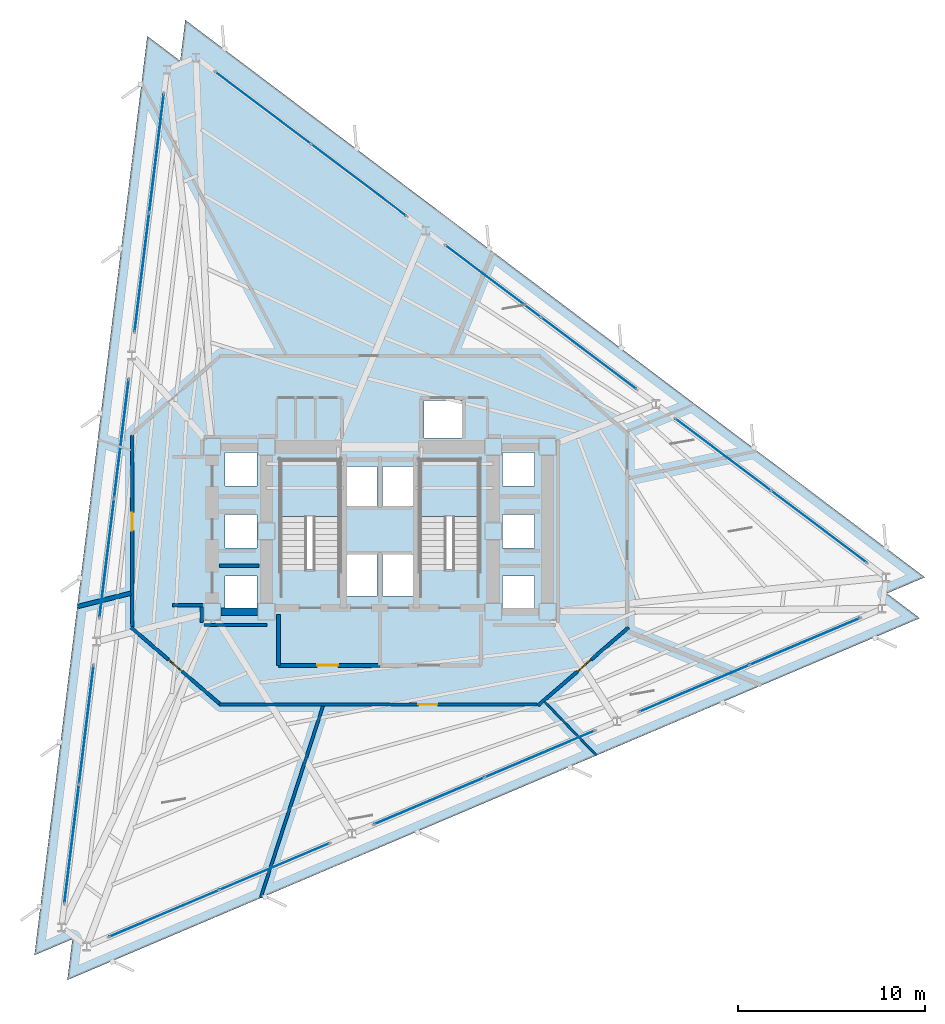
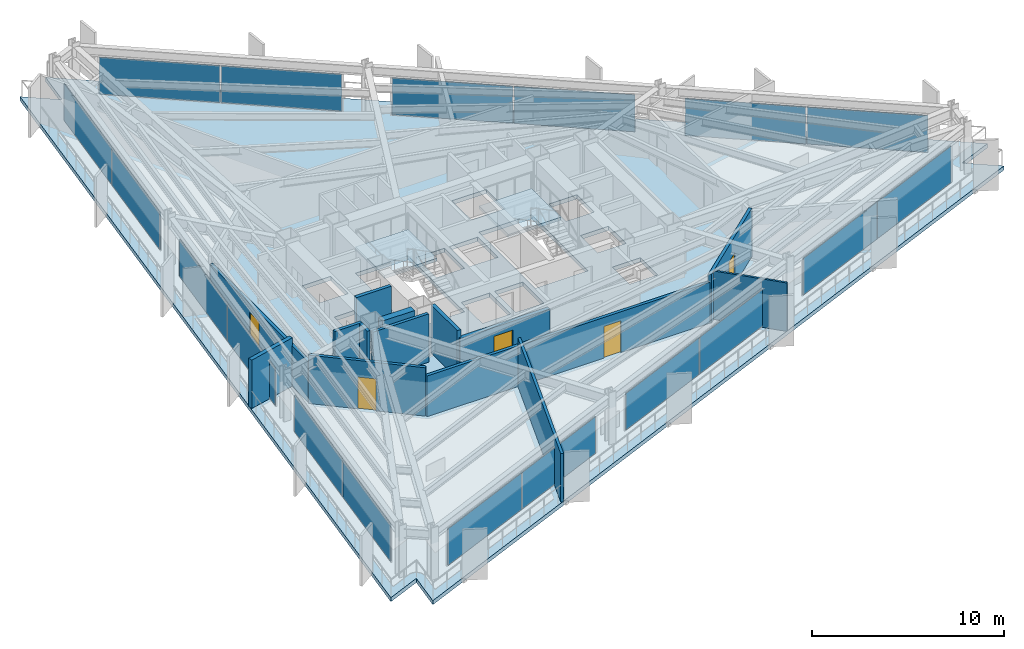
# One storey, part 6 of 13: 18 plates, 14 walls, 5 doors, 3 slabs, 5 openings, 11 elements without a shape of their own.
"""IFC4 building model written with IfcOpenShell, lengths in metres."""

from ifc_helpers import new_model, si_unit, direction, frame, frame_2d, origin, origin_2d, place, context, subcontext, project, spatial, polyline, rectangle, outline, extrude, material, layer, layer_set, type_object, element, fill, aggregate, save


model = new_model("IFC4")

# Units and contexts
model_context = context("Model", 3, precision=1e-05, world=origin(), true_north=direction((0.0, 1.0)))
body_context = subcontext(model_context, "Body", "Model", "MODEL_VIEW")
ifc_project = project(units=[si_unit("LENGTHUNIT", "METRE"), si_unit("AREAUNIT", "SQUARE_METRE"), si_unit("VOLUMEUNIT", "CUBIC_METRE"), si_unit("PLANEANGLEUNIT", "RADIAN"), si_unit("MASSUNIT", "GRAM", prefix="KILO")], contexts=[model_context])

# Site, building, storey
site_placement = place(None, origin())
site = spatial("IfcSite", under=ifc_project, at=site_placement, CompositionType="ELEMENT")
building_placement = place(site_placement, origin())
building = spatial("IfcBuilding", under=site, at=building_placement, Name="Rocaltana Carrier Exchange", CompositionType="ELEMENT")
storey_placement = place(building_placement, frame((0.0, 0.0, 52.9599609375)))
storey = spatial("IfcBuildingStorey", under=building, at=storey_placement, Name="L16", CompositionType="ELEMENT", Elevation=52.9599609375)

# Curtain wall, plates
ifc_material_1 = material(Name="Aluminium 6063-T6", Category="aluminium")
ifc_layer_1 = layer(ifc_material_1, 0.1650390625)
ifc_layer_set_1 = layer_set([ifc_layer_1], Name="Aluminium 6063-T6")
curtain_wall_type = type_object("IfcCurtainWallType", Name="Lower-Mid Stepped Curtain Wall CW-02", PredefinedType="NOTDEFINED", material=ifc_layer_set_1)
curtain_wall_1_placement = place(storey_placement, origin())
curtain_wall_1 = element("IfcCurtainWall", 1, at=curtain_wall_1_placement, inside=storey, type_object=curtain_wall_type, Name="L16 CW-02 Run CW-L16-F1S1", PredefinedType="NOTDEFINED")
ifc_material_2 = material(Name="Tempered Laminated Glass", Category="glass")
ifc_layer_2 = layer(ifc_material_2, 0.0419921875)
ifc_layer_set_2 = layer_set([ifc_layer_2], Name="Tempered Laminated Glass")
plate_type = type_object("IfcPlateType", Name="CW-02 Stone-Insulated Vision Panel", PredefinedType="CURTAIN_PANEL", material=ifc_layer_set_2)
plate_1_placement = place(storey_placement, frame((23.422607421875, 0.231201171875, 0.06494140625), z_axis=(0.0, 0.0, 1.0), x_axis=(-0.798641886792, 0.601806560833, 0.0)))
plate_1 = element("IfcPlate", 2, at=plate_1_placement, type_object=plate_type, Name="CW-02 panel 1.1", PredefinedType="CURTAIN_PANEL", context=body_context, shape_type="SweptSolid", body=[
    extrude(rectangle(XDim=6.335693359375, YDim=0.0419921875, at=origin_2d()), origin(), (0.0, 0.0, 1.0), 2.347900390625),
])
plate_2_placement = place(storey_placement, frame((18.310791015625, 4.083251953125, 0.06494140625), z_axis=(0.0, 0.0, 1.0), x_axis=(-0.798641886792, 0.601806560833, 0.0)))
plate_2 = element("IfcPlate", 3, at=plate_2_placement, type_object=plate_type, Name="CW-02 panel 2.1", PredefinedType="CURTAIN_PANEL", context=body_context, shape_type="SweptSolid", body=[
    extrude(rectangle(XDim=6.335693359375, YDim=0.0419921875, at=origin_2d()), origin(), (0.0, 0.0, 1.0), 2.347900390625),
])
aggregate(curtain_wall_1, [plate_1, plate_2])

curtain_wall_2_placement = place(storey_placement, origin())
curtain_wall_2 = element("IfcCurtainWall", 4, at=curtain_wall_2_placement, inside=storey, type_object=curtain_wall_type, Name="L16 CW-02 Run CW-L16-F1S2", PredefinedType="NOTDEFINED")
plate_3_placement = place(storey_placement, frame((11.150390625, 9.47900390625, 0.06494140625), z_axis=(0.0, 0.0, 1.0), x_axis=(-0.798635336443, 0.601815253533, 0.0)))
plate_3 = element("IfcPlate", 5, at=plate_3_placement, type_object=plate_type, Name="CW-02 panel 1.1", PredefinedType="CURTAIN_PANEL", context=body_context, shape_type="SweptSolid", body=[
    extrude(rectangle(XDim=6.335693359375, YDim=0.0419921875, at=origin_2d()), origin(), (0.0, 0.0, 1.0), 2.347900390625),
])
plate_4_placement = place(storey_placement, frame((6.038330078125, 13.3310546875, 0.06494140625), z_axis=(0.0, 0.0, 1.0), x_axis=(-0.798635336443, 0.601815253533, 0.0)))
plate_4 = element("IfcPlate", 6, at=plate_4_placement, type_object=plate_type, Name="CW-02 panel 2.1", PredefinedType="CURTAIN_PANEL", context=body_context, shape_type="SweptSolid", body=[
    extrude(rectangle(XDim=6.335693359375, YDim=0.0419921875, at=origin_2d()), origin(), (0.0, 0.0, 1.0), 2.347900390625),
])
aggregate(curtain_wall_2, [plate_3, plate_4])

curtain_wall_3_placement = place(storey_placement, origin())
curtain_wall_3 = element("IfcCurtainWall", 7, at=curtain_wall_3_placement, inside=storey, type_object=curtain_wall_type, Name="L16 CW-02 Run CW-L16-F1S3", PredefinedType="NOTDEFINED")
plate_5_placement = place(storey_placement, frame((-1.1220703125, 18.726806640625, 0.06494140625), z_axis=(0.0, 0.0, 1.0), x_axis=(-0.79863815132, 0.601811518049, 0.0)))
plate_5 = element("IfcPlate", 8, at=plate_5_placement, type_object=plate_type, Name="CW-02 panel 1.1", PredefinedType="CURTAIN_PANEL", context=body_context, shape_type="SweptSolid", body=[
    extrude(rectangle(XDim=6.3359375, YDim=0.0419921875, at=origin_2d()), origin(), (0.0, 0.0, 1.0), 2.347900390625),
])
plate_6_placement = place(storey_placement, frame((-6.23388671875, 22.5791015625, 0.06494140625), z_axis=(0.0, 0.0, 1.0), x_axis=(-0.79863815132, 0.601811518049, 0.0)))
plate_6 = element("IfcPlate", 9, at=plate_6_placement, type_object=plate_type, Name="CW-02 panel 2.1", PredefinedType="CURTAIN_PANEL", context=body_context, shape_type="SweptSolid", body=[
    extrude(rectangle(XDim=6.3359375, YDim=0.0419921875, at=origin_2d()), origin(), (0.0, 0.0, 1.0), 2.347900390625),
])
aggregate(curtain_wall_3, [plate_5, plate_6])

curtain_wall_4_placement = place(storey_placement, origin())
curtain_wall_4 = element("IfcCurtainWall", 10, at=curtain_wall_4_placement, inside=storey, type_object=curtain_wall_type, Name="L16 CW-02 Run CW-L16-F2S1", PredefinedType="NOTDEFINED")
plate_7_placement = place(storey_placement, frame((-11.91162109375, 20.169189453125, 0.06494140625), z_axis=(0.0, 0.0, 1.0), x_axis=(-0.121872630343, -0.992545748051, 0.0)))
plate_7 = element("IfcPlate", 11, at=plate_7_placement, type_object=plate_type, Name="CW-02 panel 1.1", PredefinedType="CURTAIN_PANEL", context=body_context, shape_type="SweptSolid", body=[
    extrude(rectangle(XDim=6.3359375, YDim=0.0419921875, at=origin_2d()), origin(), (0.0, 0.0, 1.0), 2.347900390625),
])
plate_8_placement = place(storey_placement, frame((-12.691650390625, 13.81591796875, 0.06494140625), z_axis=(0.0, 0.0, 1.0), x_axis=(-0.121872630343, -0.992545748051, 0.0)))
plate_8 = element("IfcPlate", 12, at=plate_8_placement, type_object=plate_type, Name="CW-02 panel 2.1", PredefinedType="CURTAIN_PANEL", context=body_context, shape_type="SweptSolid", body=[
    extrude(rectangle(XDim=6.3359375, YDim=0.0419921875, at=origin_2d()), origin(), (0.0, 0.0, 1.0), 2.347900390625),
])
aggregate(curtain_wall_4, [plate_7, plate_8])

curtain_wall_5_placement = place(storey_placement, origin())
curtain_wall_5 = element("IfcCurtainWall", 13, at=curtain_wall_5_placement, inside=storey, type_object=curtain_wall_type, Name="L16 CW-02 Run CW-L16-F2S2", PredefinedType="NOTDEFINED")
plate_9_placement = place(storey_placement, frame((-13.7841796875, 4.9169921875, 0.06494140625), z_axis=(0.0, 0.0, 1.0), x_axis=(-0.121873570472, -0.992545632614, 0.0)))
plate_9 = element("IfcPlate", 14, at=plate_9_placement, type_object=plate_type, Name="CW-02 panel 1.1", PredefinedType="CURTAIN_PANEL", context=body_context, shape_type="SweptSolid", body=[
    extrude(rectangle(XDim=6.335693359375, YDim=0.0419921875, at=origin_2d()), origin(), (0.0, 0.0, 1.0), 2.347900390625),
])
plate_10_placement = place(storey_placement, frame((-14.564208984375, -1.436279296875, 0.06494140625), z_axis=(0.0, 0.0, 1.0), x_axis=(-0.121873570472, -0.992545632614, 0.0)))
plate_10 = element("IfcPlate", 15, at=plate_10_placement, type_object=plate_type, Name="CW-02 panel 2.1", PredefinedType="CURTAIN_PANEL", context=body_context, shape_type="SweptSolid", body=[
    extrude(rectangle(XDim=6.335693359375, YDim=0.0419921875, at=origin_2d()), origin(), (0.0, 0.0, 1.0), 2.347900390625),
])
aggregate(curtain_wall_5, [plate_9, plate_10])

curtain_wall_6_placement = place(storey_placement, origin())
curtain_wall_6 = element("IfcCurtainWall", 16, at=curtain_wall_6_placement, inside=storey, type_object=curtain_wall_type, Name="L16 CW-02 Run CW-L16-F2S3", PredefinedType="NOTDEFINED")
plate_11_placement = place(storey_placement, frame((-15.656982421875, -10.335205078125, 0.06494140625), z_axis=(0.0, 0.0, 1.0), x_axis=(-0.121881227076, -0.992544692438, 0.0)))
plate_11 = element("IfcPlate", 17, at=plate_11_placement, type_object=plate_type, Name="CW-02 panel 1.1", PredefinedType="CURTAIN_PANEL", context=body_context, shape_type="SweptSolid", body=[
    extrude(rectangle(XDim=6.335693359375, YDim=0.0419921875, at=origin_2d()), origin(), (0.0, 0.0, 1.0), 2.347900390625),
])
plate_12_placement = place(storey_placement, frame((-16.43701171875, -16.688232421875, 0.06494140625), z_axis=(0.0, 0.0, 1.0), x_axis=(-0.121881227076, -0.992544692438, 0.0)))
plate_12 = element("IfcPlate", 18, at=plate_12_placement, type_object=plate_type, Name="CW-02 panel 2.1", PredefinedType="CURTAIN_PANEL", context=body_context, shape_type="SweptSolid", body=[
    extrude(rectangle(XDim=6.335693359375, YDim=0.0419921875, at=origin_2d()), origin(), (0.0, 0.0, 1.0), 2.347900390625),
])
aggregate(curtain_wall_6, [plate_11, plate_12])

curtain_wall_7_placement = place(storey_placement, origin())
curtain_wall_7 = element("IfcCurtainWall", 19, at=curtain_wall_7_placement, inside=storey, type_object=curtain_wall_type, Name="L16 CW-02 Run CW-L16-F3S1", PredefinedType="NOTDEFINED")
plate_13_placement = place(storey_placement, frame((-11.51123046875, -20.400146484375, 0.06494140625), z_axis=(0.0, 0.0, 1.0), x_axis=(0.920505895435, 0.390728673724, 0.0)))
plate_13 = element("IfcPlate", 20, at=plate_13_placement, type_object=plate_type, Name="CW-02 panel 1.1", PredefinedType="CURTAIN_PANEL", context=body_context, shape_type="SweptSolid", body=[
    extrude(rectangle(XDim=6.3359375, YDim=0.0419921875, at=origin_2d()), origin(), (0.0, 0.0, 1.0), 2.347900390625),
])
plate_14_placement = place(storey_placement, frame((-5.619140625, -17.899169921875, 0.06494140625), z_axis=(0.0, 0.0, 1.0), x_axis=(0.920505895435, 0.390728673724, 0.0)))
plate_14 = element("IfcPlate", 21, at=plate_14_placement, type_object=plate_type, Name="CW-02 panel 2.1", PredefinedType="CURTAIN_PANEL", context=body_context, shape_type="SweptSolid", body=[
    extrude(rectangle(XDim=6.3359375, YDim=0.0419921875, at=origin_2d()), origin(), (0.0, 0.0, 1.0), 2.347900390625),
])
aggregate(curtain_wall_7, [plate_13, plate_14])

curtain_wall_8_placement = place(storey_placement, origin())
curtain_wall_8 = element("IfcCurtainWall", 22, at=curtain_wall_8_placement, inside=storey, type_object=curtain_wall_type, Name="L16 CW-02 Run CW-L16-F3S2", PredefinedType="NOTDEFINED")
plate_15_placement = place(storey_placement, frame((2.634033203125, -14.39599609375, 0.06494140625), z_axis=(0.0, 0.0, 1.0), x_axis=(0.920505895435, 0.390728673724, 0.0)))
plate_15 = element("IfcPlate", 23, at=plate_15_placement, type_object=plate_type, Name="CW-02 panel 1.1", PredefinedType="CURTAIN_PANEL", context=body_context, shape_type="SweptSolid", body=[
    extrude(rectangle(XDim=6.3359375, YDim=0.0419921875, at=origin_2d()), origin(), (0.0, 0.0, 1.0), 2.347900390625),
])
plate_16_placement = place(storey_placement, frame((8.52587890625, -11.89501953125, 0.06494140625), z_axis=(0.0, 0.0, 1.0), x_axis=(0.920505895435, 0.390728673724, 0.0)))
plate_16 = element("IfcPlate", 24, at=plate_16_placement, type_object=plate_type, Name="CW-02 panel 2.1", PredefinedType="CURTAIN_PANEL", context=body_context, shape_type="SweptSolid", body=[
    extrude(rectangle(XDim=6.3359375, YDim=0.0419921875, at=origin_2d()), origin(), (0.0, 0.0, 1.0), 2.347900390625),
])
aggregate(curtain_wall_8, [plate_15, plate_16])

curtain_wall_9_placement = place(storey_placement, origin())
curtain_wall_9 = element("IfcCurtainWall", 25, at=curtain_wall_9_placement, inside=storey, type_object=curtain_wall_type, Name="L16 CW-02 Run CW-L16-F3S3", PredefinedType="NOTDEFINED")
plate_17_placement = place(storey_placement, frame((16.779052734375, -8.391845703125, 0.06494140625), z_axis=(0.0, 0.0, 1.0), x_axis=(0.920503100084, 0.390735259141, 0.0)))
plate_17 = element("IfcPlate", 26, at=plate_17_placement, type_object=plate_type, Name="CW-02 panel 1.1", PredefinedType="CURTAIN_PANEL", context=body_context, shape_type="SweptSolid", body=[
    extrude(rectangle(XDim=6.3359375, YDim=0.0419921875, at=origin_2d()), origin(), (0.0, 0.0, 1.0), 2.347900390625),
])
plate_18_placement = place(storey_placement, frame((22.671142578125, -5.890625, 0.06494140625), z_axis=(0.0, 0.0, 1.0), x_axis=(0.920503100084, 0.390735259141, 0.0)))
plate_18 = element("IfcPlate", 27, at=plate_18_placement, type_object=plate_type, Name="CW-02 panel 2.1", PredefinedType="CURTAIN_PANEL", context=body_context, shape_type="SweptSolid", body=[
    extrude(rectangle(XDim=6.3359375, YDim=0.0419921875, at=origin_2d()), origin(), (0.0, 0.0, 1.0), 2.347900390625),
])
aggregate(curtain_wall_9, [plate_17, plate_18])

# Slab
ifc_material_3 = material(Name="Concrete C60/75", Category="concrete")
ifc_layer_3 = layer(ifc_material_3, 0.260009765625)
ifc_layer_set_3 = layer_set([ifc_layer_3], Name="Concrete C60/75")
slab_type_1 = type_object("IfcSlabType", Name="Low-Zone Tower Slab 260", PredefinedType="FLOOR", material=ifc_layer_set_3)
slab_1_placement = place(storey_placement, frame((0.0, 0.0, -0.260009765625)))
element("IfcSlab", 28, at=slab_1_placement, inside=storey, type_object=slab_type_1, Name="L16 Structural Floor Slab", PredefinedType="FLOOR", context=body_context, shape_type="SweptSolid", body=[
    extrude(outline(polyline([(28.8046875, -4.64501953125), (27.0478515625, -3.321044921875), (29.072998046875, -2.46142578125), (-10.379638671875, 27.268310546875), (-10.647705078125, 25.084716796875), (-12.40478515625, 26.40869140625), (-18.425048828125, -22.623291015625), (-16.39990234375, -21.763671875), (-16.668212890625, -23.947265625), (28.8046875, -4.64501953125)]), holes=[polyline([(-5.300048828125, -2.06005859375), (-2.139892578125, -2.06005859375), (-2.139892578125, 3.800048828125), (-5.300048828125, 3.800048828125), (-5.300048828125, -2.06005859375)]), polyline([(2.139892578125, -2.06005859375), (5.300048828125, -2.06005859375), (5.300048828125, 3.800048828125), (2.139892578125, 3.800048828125), (2.139892578125, -2.06005859375)]), polyline([(-1.85009765625, -3.449951171875), (-0.14990234375, -3.449951171875), (-0.14990234375, -1.25), (-1.85009765625, -1.25), (-1.85009765625, -3.449951171875)]), polyline([(0.14990234375, -3.449951171875), (1.85009765625, -3.449951171875), (1.85009765625, -1.25), (0.14990234375, -1.25), (0.14990234375, -3.449951171875)]), polyline([(2.35009765625, 4.97998046875), (4.39990234375, 4.97998046875), (4.39990234375, 6.97998046875), (2.35009765625, 6.97998046875), (2.35009765625, 4.97998046875)]), polyline([(-1.85009765625, 1.35009765625), (-0.14990234375, 1.35009765625), (-0.14990234375, 3.449951171875), (-1.85009765625, 3.449951171875), (-1.85009765625, 1.35009765625)]), polyline([(0.14990234375, 1.35009765625), (1.85009765625, 1.35009765625), (1.85009765625, 3.449951171875), (0.14990234375, 3.449951171875), (0.14990234375, 1.35009765625)]), polyline([(-8.25, -4.199951171875), (-6.550048828125, -4.199951171875), (-6.550048828125, -2.39990234375), (-8.25, -2.39990234375), (-8.25, -4.199951171875)]), polyline([(-8.25, -0.89990234375), (-6.550048828125, -0.89990234375), (-6.550048828125, 0.89990234375), (-8.25, 0.89990234375), (-8.25, -0.89990234375)]), polyline([(-8.25, 2.39990234375), (-6.550048828125, 2.39990234375), (-6.550048828125, 4.199951171875), (-8.25, 4.199951171875), (-8.25, 2.39990234375)]), polyline([(6.550048828125, -4.199951171875), (8.25, -4.199951171875), (8.25, -2.39990234375), (6.550048828125, -2.39990234375), (6.550048828125, -4.199951171875)]), polyline([(6.550048828125, -0.89990234375), (8.25, -0.89990234375), (8.25, 0.89990234375), (6.550048828125, 0.89990234375), (6.550048828125, -0.89990234375)]), polyline([(6.550048828125, 2.39990234375), (8.25, 2.39990234375), (8.25, 4.199951171875), (6.550048828125, 4.199951171875), (6.550048828125, 2.39990234375)])]), origin(), (0.0, 0.0, 1.0), 0.260009765625),
])

# Stair, slab
ifc_material_4 = material(Name="Precast concrete C45/55", Category="concrete")
stair_type = type_object("IfcStairType", Name="Standard Dog-Leg Stair 160", PredefinedType="HALF_TURN_STAIR", material=ifc_material_4)
stair_1_placement = place(storey_placement, origin())
stair_1 = element("IfcStair", 29, at=stair_1_placement, inside=storey, type_object=stair_type, Name="L16 Core West Exit Stair ST-1", PredefinedType="HALF_TURN_STAIR")
ifc_material_5 = material(Name="Precast concrete C45/55", Category="concrete")
ifc_layer_4 = layer(ifc_material_5, 0.199951171875)
ifc_layer_set_4 = layer_set([ifc_layer_4], Name="Precast concrete C45/55")
slab_type_2 = type_object("IfcSlabType", Name="Precast Stair Half-Landing 200", PredefinedType="LANDING", material=ifc_layer_set_4)
slab_2_placement = place(storey_placement, frame((0.0, 0.0, 1.47998046875)))
slab_2 = element("IfcSlab", 30, at=slab_2_placement, type_object=slab_type_2, Name="ST-1 landing 1", PredefinedType="LANDING", context=body_context, shape_type="SweptSolid", body=[
    extrude(outline(polyline([(-2.139892578125, 0.780029296875), (-2.139892578125, 3.800048828125), (-5.300048828125, 3.800048828125), (-5.300048828125, 0.780029296875), (-2.139892578125, 0.780029296875)])), origin(), (0.0, 0.0, 1.0), 0.199951171875),
])
aggregate(stair_1, [slab_2])

stair_2_placement = place(storey_placement, origin())
stair_2 = element("IfcStair", 31, at=stair_2_placement, inside=storey, type_object=stair_type, Name="L16 Core East Exit Stair ST-2", PredefinedType="HALF_TURN_STAIR")
slab_3_placement = place(storey_placement, frame((0.0, 0.0, 1.47998046875)))
slab_3 = element("IfcSlab", 32, at=slab_3_placement, type_object=slab_type_2, Name="ST-2 landing 1", PredefinedType="LANDING", context=body_context, shape_type="SweptSolid", body=[
    extrude(outline(polyline([(5.300048828125, 0.780029296875), (5.300048828125, 3.800048828125), (2.139892578125, 3.800048828125), (2.139892578125, 0.780029296875), (5.300048828125, 0.780029296875)])), origin(), (0.0, 0.0, 1.0), 0.199951171875),
])
aggregate(stair_2, [slab_3])

# Walls
ifc_material_6 = material(Name="Double Acoustic Gypsum Partition", Category="gypsum")
ifc_layer_5 = layer(ifc_material_6, 0.159912109375)
ifc_layer_set_5 = layer_set([ifc_layer_5], Name="Double Acoustic Gypsum Partition")
wall_type_1 = type_object("IfcWallType", Name="Acoustic Studio Partition 160 EI60", PredefinedType="PARTITIONING", material=ifc_layer_set_5)
wall_1_placement = place(storey_placement, frame((-3.031494140625, -9.330078125, 0.0), z_axis=(0.0, 0.0, 1.0), x_axis=(-0.309020370084, -0.951055419454, 0.0)))
element("IfcWall", 33, at=wall_1_placement, inside=storey, type_object=wall_type_1, Name="L16 Suite Divider Wall D2", PredefinedType="PARTITIONING", context=body_context, shape_type="SweptSolid", body=[
    extrude(rectangle(XDim=10.7548828125, YDim=0.159912109375, at=frame_2d((5.37744140625, 0.0))), origin(), (0.0, 0.0, 1.0), 3.072998046875),
])
ifc_material_7 = material(Name="Concrete C50/60", Category="concrete")
ifc_layer_6 = layer(ifc_material_7, 0.39990234375)
ifc_layer_set_6 = layer_set([ifc_layer_6], Name="Concrete C50/60")
wall_type_2 = type_object("IfcWallType", Name="Core Internal Shear Wall 400", PredefinedType="SHEAR", material=ifc_layer_set_6)
wall_2_placement = place(storey_placement, frame((-8.47509765625, -4.300048828125, 0.0), z_axis=(0.0, 0.0, 1.0), x_axis=(1.0, 0.0, 0.0)))
element("IfcWall", 34, at=wall_2_placement, inside=storey, type_object=wall_type_2, Name="L16 Core Shear Wall CW-WWS", PredefinedType="SHEAR", context=body_context, shape_type="SweptSolid", body=[
    extrude(rectangle(XDim=1.9501953125, YDim=0.39990234375, at=frame_2d((0.97509765625, 0.0))), origin(), (0.0, 0.0, 1.0), 3.09814453125),
])

# Wall, opening, door
ifc_material_8 = material(Name="Gypsum & Steel Stud Partition", Category="steel")
ifc_layer_7 = layer(ifc_material_8, 0.179931640625)
ifc_layer_set_7 = layer_set([ifc_layer_7], Name="Gypsum & Steel Stud Partition")
wall_type_3 = type_object("IfcWallType", Name="Corridor Fire Partition 180 EI60", PredefinedType="PARTITIONING", material=ifc_layer_set_7)
wall_3_placement = place(storey_placement, frame((13.268310546875, -5.14111328125, 0.0), z_axis=(0.0, 0.0, 1.0), x_axis=(-0.757534501725, -0.65279512766, 0.0)))
wall_3 = element("IfcWall", 35, at=wall_3_placement, inside=storey, type_object=wall_type_3, Name="L16 Corridor Partition 4", PredefinedType="PARTITIONING", context=body_context, shape_type="SweptSolid", body=[
    extrude(rectangle(XDim=6.384521484375, YDim=0.179931640625, at=frame_2d((3.1923828125, 0.0))), origin(), (0.0, 0.0, 1.0), 3.072998046875),
])
opening_1_placement = place(wall_3_placement, frame((2.639404296875, 0.0, 0.0)))
opening_1 = element("IfcOpeningElement", 36, at=opening_1_placement, cuts=wall_3, Name="Opening D-RM098", PredefinedType="OPENING", context=body_context, shape_type="SweptSolid", body=[
    extrude(rectangle(XDim=0.9599609375, YDim=2.02001953125, at=frame_2d((0.47998046875, 1.010009765625))), frame((0.0, 0.099853515625, 0.0), z_axis=(0.0, -1.0, 0.0), x_axis=(1.0, 0.0, 0.0)), (0.0, 0.0, 1.0), 0.199951171875),
])
ifc_material_9 = material(Name="Engineered Hardwood Timber", Category="wood")
door_type_1 = type_object("IfcDoorType", Name="Workspace Single Door 960x2020", OperationType="NOTDEFINED", PredefinedType="DOOR", material=ifc_material_9)
door_1_placement = place(opening_1_placement, origin())
door_1 = element("IfcDoor", 37, at=door_1_placement, inside=storey, type_object=door_type_1, Name="L16 Network Engineering Studio Entrance Door", OperationType="SINGLE_SWING_LEFT", OverallHeight=2.02001953125, OverallWidth=0.9599609375, PredefinedType="DOOR", context=body_context, shape_type="SweptSolid", body=[
    extrude(rectangle(XDim=0.9599609375, YDim=2.02001953125, at=frame_2d((0.47998046875, 1.010009765625))), frame((0.0, 0.02490234375, 0.0), z_axis=(0.0, -1.0, 0.0), x_axis=(1.0, 0.0, 0.0)), (0.0, 0.0, 1.0), 0.050048828125),
])
fill(opening_1, door_1)

wall_4_placement = place(storey_placement, frame((8.409912109375, -9.25, 0.0), z_axis=(0.0, 0.0, 1.0), x_axis=(-1.0, 0.0, 0.0)))
wall_4 = element("IfcWall", 38, at=wall_4_placement, inside=storey, type_object=wall_type_3, Name="L16 Corridor Partition 5", PredefinedType="PARTITIONING", context=body_context, shape_type="SweptSolid", body=[
    extrude(rectangle(XDim=17.0, YDim=0.179931640625, at=frame_2d((8.5, 0.0))), origin(), (0.0, 0.0, 1.0), 2.587158203125),
])
opening_2_placement = place(wall_4_placement, frame((5.339599609375, 0.0, 0.0)))
opening_2 = element("IfcOpeningElement", 39, at=opening_2_placement, cuts=wall_4, Name="Opening D-LB104", PredefinedType="OPENING", context=body_context, shape_type="SweptSolid", body=[
    extrude(rectangle(XDim=1.02001953125, YDim=2.02001953125, at=frame_2d((0.510009765625, 1.010009765625))), frame((0.0, 0.099853515625, 0.0), z_axis=(0.0, -1.0, 0.0), x_axis=(1.0, 0.0, 0.0)), (0.0, 0.0, 1.0), 0.199951171875),
])
ifc_material_10 = material(Name="Powder-Coated Aluminium 6063-T6", Category="aluminium")
door_type_2 = type_object("IfcDoorType", Name="Laboratory Acoustic Door 1020x2020", OperationType="NOTDEFINED", PredefinedType="DOOR", material=ifc_material_10)
door_2_placement = place(opening_2_placement, origin())
door_2 = element("IfcDoor", 40, at=door_2_placement, inside=storey, type_object=door_type_2, Name="L16 Photonic Integration Workshop Entrance Door", OperationType="SINGLE_SWING_RIGHT", OverallHeight=2.02001953125, OverallWidth=1.02001953125, PredefinedType="DOOR", context=body_context, shape_type="SweptSolid", body=[
    extrude(rectangle(XDim=1.02001953125, YDim=2.02001953125, at=frame_2d((0.510009765625, 1.010009765625))), frame((0.0, 0.02490234375, 0.0), z_axis=(0.0, -1.0, 0.0), x_axis=(1.0, 0.0, 0.0)), (0.0, 0.0, 1.0), 0.050048828125),
])
fill(opening_2, door_2)

wall_5_placement = place(storey_placement, frame((-8.568115234375, -9.191162109375, 0.0), z_axis=(0.0, 0.0, 1.0), x_axis=(-0.757556899173, 0.652769135694, 0.0)))
wall_5 = element("IfcWall", 41, at=wall_5_placement, inside=storey, type_object=wall_type_3, Name="L16 Corridor Partition 6", PredefinedType="PARTITIONING", context=body_context, shape_type="SweptSolid", body=[
    extrude(rectangle(XDim=6.204345703125, YDim=0.179931640625, at=frame_2d((3.10205078125, 0.0))), origin(), (0.0, 0.0, 1.0), 3.072998046875),
])
opening_3_placement = place(wall_5_placement, frame((2.6220703125, 0.0, 0.0)))
opening_3 = element("IfcOpeningElement", 42, at=opening_3_placement, cuts=wall_5, Name="Opening D-RM098", PredefinedType="OPENING", context=body_context, shape_type="SweptSolid", body=[
    extrude(rectangle(XDim=0.9599609375, YDim=2.02001953125, at=frame_2d((0.47998046875, 1.010009765625))), frame((0.0, 0.099853515625, 0.0), z_axis=(0.0, -1.0, 0.0), x_axis=(1.0, 0.0, 0.0)), (0.0, 0.0, 1.0), 0.199951171875),
])
door_3_placement = place(opening_3_placement, origin())
door_3 = element("IfcDoor", 43, at=door_3_placement, inside=storey, type_object=door_type_1, Name="L16 Network Engineering Studio Entrance Door", OperationType="SINGLE_SWING_LEFT", OverallHeight=2.02001953125, OverallWidth=0.9599609375, PredefinedType="DOOR", context=body_context, shape_type="SweptSolid", body=[
    extrude(rectangle(XDim=0.9599609375, YDim=2.02001953125, at=frame_2d((0.47998046875, 1.010009765625))), frame((0.0, 0.02490234375, 0.0), z_axis=(0.0, -1.0, 0.0), x_axis=(1.0, 0.0, 0.0)), (0.0, 0.0, 1.0), 0.050048828125),
])
fill(opening_3, door_3)

wall_6_placement = place(storey_placement, frame((-13.199951171875, -5.110107421875, 0.0), z_axis=(0.0, 0.0, 1.0), x_axis=(0.0, 1.0, 0.0)))
wall_6 = element("IfcWall", 44, at=wall_6_placement, inside=storey, type_object=wall_type_3, Name="L16 Corridor Partition 7", PredefinedType="PARTITIONING", context=body_context, shape_type="SweptSolid", body=[
    extrude(rectangle(XDim=10.22021484375, YDim=0.179931640625, at=frame_2d((5.110107421875, 0.0))), origin(), (0.0, 0.0, 1.0), 2.587158203125),
])
opening_4_placement = place(wall_6_placement, frame((5.131591796875, 0.0, 0.0)))
opening_4 = element("IfcOpeningElement", 45, at=opening_4_placement, cuts=wall_6, Name="Opening D-RM098", PredefinedType="OPENING", context=body_context, shape_type="SweptSolid", body=[
    extrude(rectangle(XDim=0.9599609375, YDim=2.02001953125, at=frame_2d((0.47998046875, 1.010009765625))), frame((0.0, 0.099853515625, 0.0), z_axis=(0.0, -1.0, 0.0), x_axis=(1.0, 0.0, 0.0)), (0.0, 0.0, 1.0), 0.199951171875),
])
door_4_placement = place(opening_4_placement, origin())
door_4 = element("IfcDoor", 46, at=door_4_placement, inside=storey, type_object=door_type_1, Name="L16 Cloud Architecture Office Entrance Door", OperationType="SINGLE_SWING_LEFT", OverallHeight=2.02001953125, OverallWidth=0.9599609375, PredefinedType="DOOR", context=body_context, shape_type="SweptSolid", body=[
    extrude(rectangle(XDim=0.9599609375, YDim=2.02001953125, at=frame_2d((0.47998046875, 1.010009765625))), frame((0.0, 0.02490234375, 0.0), z_axis=(0.0, -1.0, 0.0), x_axis=(1.0, 0.0, 0.0)), (0.0, 0.0, 1.0), 0.050048828125),
])
fill(opening_4, door_4)

# Walls
wall_7_placement = place(storey_placement, frame((-11.070068359375, -3.9599609375, 0.0), z_axis=(0.0, 0.0, 1.0), x_axis=(1.0, 0.0, 0.0)))
element("IfcWall", 47, at=wall_7_placement, inside=storey, type_object=wall_type_3, Name="L16 Corridor Partition 11", PredefinedType="PARTITIONING", context=body_context, shape_type="SweptSolid", body=[
    extrude(rectangle(XDim=1.650146484375, YDim=0.179931640625, at=frame_2d((0.8251953125, 0.0))), origin(), (0.0, 0.0, 1.0), 3.072998046875),
])
wall_8_placement = place(storey_placement, frame((-9.510009765625, -4.050048828125, 0.0), z_axis=(0.0, 0.0, 1.0), x_axis=(0.0, -1.0, 0.0)))
element("IfcWall", 48, at=wall_8_placement, inside=storey, type_object=wall_type_3, Name="L16 Corridor Partition 12", PredefinedType="PARTITIONING", context=body_context, shape_type="SweptSolid", body=[
    extrude(rectangle(XDim=0.820068359375, YDim=0.179931640625, at=frame_2d((0.41015625, 0.0))), origin(), (0.0, 0.0, 1.0), 3.072998046875),
])
wall_9_placement = place(storey_placement, frame((-9.3701171875, -5.010009765625, 0.0), z_axis=(0.0, 0.0, 1.0), x_axis=(1.0, 0.0, 0.0)))
element("IfcWall", 49, at=wall_9_placement, inside=storey, type_object=wall_type_3, Name="L16 Corridor Partition 13", PredefinedType="PARTITIONING", context=body_context, shape_type="SweptSolid", body=[
    extrude(rectangle(XDim=3.340087890625, YDim=0.179931640625, at=frame_2d((1.669921875, 0.0))), origin(), (0.0, 0.0, 1.0), 3.072998046875),
])
ifc_material_11 = material(Name="Aluminium 6063-T6 & Acoustic Glass", Category="aluminium")
ifc_layer_8 = layer(ifc_material_11, 0.114990234375)
ifc_layer_set_8 = layer_set([ifc_layer_8], Name="Aluminium 6063-T6 & Acoustic Glass")
wall_type_4 = type_object("IfcWallType", Name="Demountable Glazed Lab Partition 115", PredefinedType="MOVABLE", material=ifc_layer_set_8)
wall_10_placement = place(storey_placement, frame((8.791748046875, -9.104248046875, 0.0), z_axis=(0.0, 0.0, 1.0), x_axis=(0.694664773763, -0.719333616685, 0.0)))
element("IfcWall", 50, at=wall_10_placement, inside=storey, type_object=wall_type_4, Name="L16 Suite Divider Wall D3", PredefinedType="MOVABLE", context=body_context, shape_type="SweptSolid", body=[
    extrude(rectangle(XDim=3.968505859375, YDim=0.114990234375, at=frame_2d((1.984375, 0.0))), origin(), (0.0, 0.0, 1.0), 3.072998046875),
])
ifc_material_12 = material(Name="Autoclaved Aerated Concrete C30/37", Category="concrete")
ifc_layer_9 = layer(ifc_material_12, 0.219970703125)
ifc_layer_set_9 = layer_set([ifc_layer_9], Name="Autoclaved Aerated Concrete C30/37")
wall_type_5 = type_object("IfcWallType", Name="Firefighting Lobby Wall 220 EI120", PredefinedType="PARTITIONING", material=ifc_layer_set_9)
wall_11_placement = place(storey_placement, frame((-5.39990234375, -7.159912109375, 0.0), z_axis=(0.0, 0.0, 1.0), x_axis=(0.0, 1.0, 0.0)))
element("IfcWall", 51, at=wall_11_placement, inside=storey, type_object=wall_type_5, Name="L16 FFL Lobby 1 West Wall", PredefinedType="PARTITIONING", context=body_context, shape_type="SweptSolid", body=[
    extrude(rectangle(XDim=2.7099609375, YDim=0.219970703125, at=frame_2d((1.35498046875, 0.0))), origin(), (0.0, 0.0, 1.0), 3.072998046875),
])

# Wall, opening, door
wall_12_placement = place(storey_placement, frame((-5.39990234375, -7.159912109375, 0.0), z_axis=(0.0, 0.0, 1.0), x_axis=(1.0, 0.0, 0.0)))
wall_12 = element("IfcWall", 52, at=wall_12_placement, inside=storey, type_object=wall_type_5, Name="L16 FFL Lobby 1 South Wall", PredefinedType="PARTITIONING", context=body_context, shape_type="SweptSolid", body=[
    extrude(rectangle(XDim=5.39990234375, YDim=0.219970703125, at=frame_2d((2.699951171875, 0.0))), origin(), (0.0, 0.0, 1.0), 2.587158203125),
])
opening_5_placement = place(wall_12_placement, frame((2.050048828125, 0.0, 0.0)))
opening_5 = element("IfcOpeningElement", 53, at=opening_5_placement, cuts=wall_12, Name="Opening D-FF115", PredefinedType="OPENING", context=body_context, shape_type="SweptSolid", body=[
    extrude(rectangle(XDim=1.1201171875, YDim=2.02001953125, at=frame_2d((0.56005859375, 1.010009765625))), frame((0.0, 0.119873046875, 0.0), z_axis=(0.0, -1.0, 0.0), x_axis=(1.0, 0.0, 0.0)), (0.0, 0.0, 1.0), 0.239990234375),
])
ifc_material_13 = material(Name="Hollow Metal Fire Door Assembly", Category="steel")
door_type_3 = type_object("IfcDoorType", Name="Firefighting Lobby Door 1120x2020 FD60S", OperationType="NOTDEFINED", PredefinedType="DOOR", material=ifc_material_13)
door_5_placement = place(opening_5_placement, origin())
door_5 = element("IfcDoor", 54, at=door_5_placement, inside=storey, type_object=door_type_3, Name="L16 Firefighting Lift Lobby 1 Door", OperationType="SINGLE_SWING_LEFT", OverallHeight=2.02001953125, OverallWidth=1.1201171875, PredefinedType="DOOR", context=body_context, shape_type="SweptSolid", body=[
    extrude(rectangle(XDim=1.1201171875, YDim=2.02001953125, at=frame_2d((0.56005859375, 1.010009765625))), frame((0.0, 0.02490234375, 0.0), z_axis=(0.0, -1.0, 0.0), x_axis=(1.0, 0.0, 0.0)), (0.0, 0.0, 1.0), 0.050048828125),
])
fill(opening_5, door_5)

# Walls
ifc_material_14 = material(Name="Acoustic Calcium Silicate Partition", Category="gypsum")
ifc_layer_10 = layer(ifc_material_14, 0.239990234375)
ifc_layer_set_10 = layer_set([ifc_layer_10], Name="Acoustic Calcium Silicate Partition")
wall_type_6 = type_object("IfcWallType", Name="Heavy Lab Partition 240 EI90", PredefinedType="PARTITIONING", material=ifc_layer_set_10)
wall_13_placement = place(storey_placement, frame((-13.280029296875, -3.31103515625, 0.0), z_axis=(0.0, 0.0, 1.0), x_axis=(-0.970288946824, -0.241949084873, 0.0)))
element("IfcWall", 55, at=wall_13_placement, inside=storey, type_object=wall_type_6, Name="L16 Suite Divider Wall D1", PredefinedType="PARTITIONING", context=body_context, shape_type="SweptSolid", body=[
    extrude(rectangle(XDim=2.9384765625, YDim=0.239990234375, at=frame_2d((1.46923828125, 0.0))), origin(), (0.0, 0.0, 1.0), 3.072998046875),
])
ifc_material_15 = material(Name="Reinforced Concrete Block C35/45", Category="concrete")
ifc_layer_11 = layer(ifc_material_15, 0.199951171875)
ifc_layer_set_11 = layer_set([ifc_layer_11], Name="Reinforced Concrete Block C35/45")
wall_type_7 = type_object("IfcWallType", Name="Lift Hoistway Enclosure Wall 200 EI120", PredefinedType="PARTITIONING", material=ifc_layer_set_11)
wall_14_placement = place(storey_placement, frame((-8.550048828125, -1.85009765625, 0.0), z_axis=(0.0, 0.0, 1.0), x_axis=(1.0, 0.0, 0.0)))
element("IfcWall", 56, at=wall_14_placement, inside=storey, type_object=wall_type_7, Name="L16 Low-Rise Shaft Divider 1", PredefinedType="PARTITIONING", context=body_context, shape_type="SweptSolid", body=[
    extrude(rectangle(XDim=2.10009765625, YDim=0.199951171875, at=frame_2d((1.050048828125, 0.0))), origin(), (0.0, 0.0, 1.0), 3.072998046875),
])

save(model, "model.ifc")
